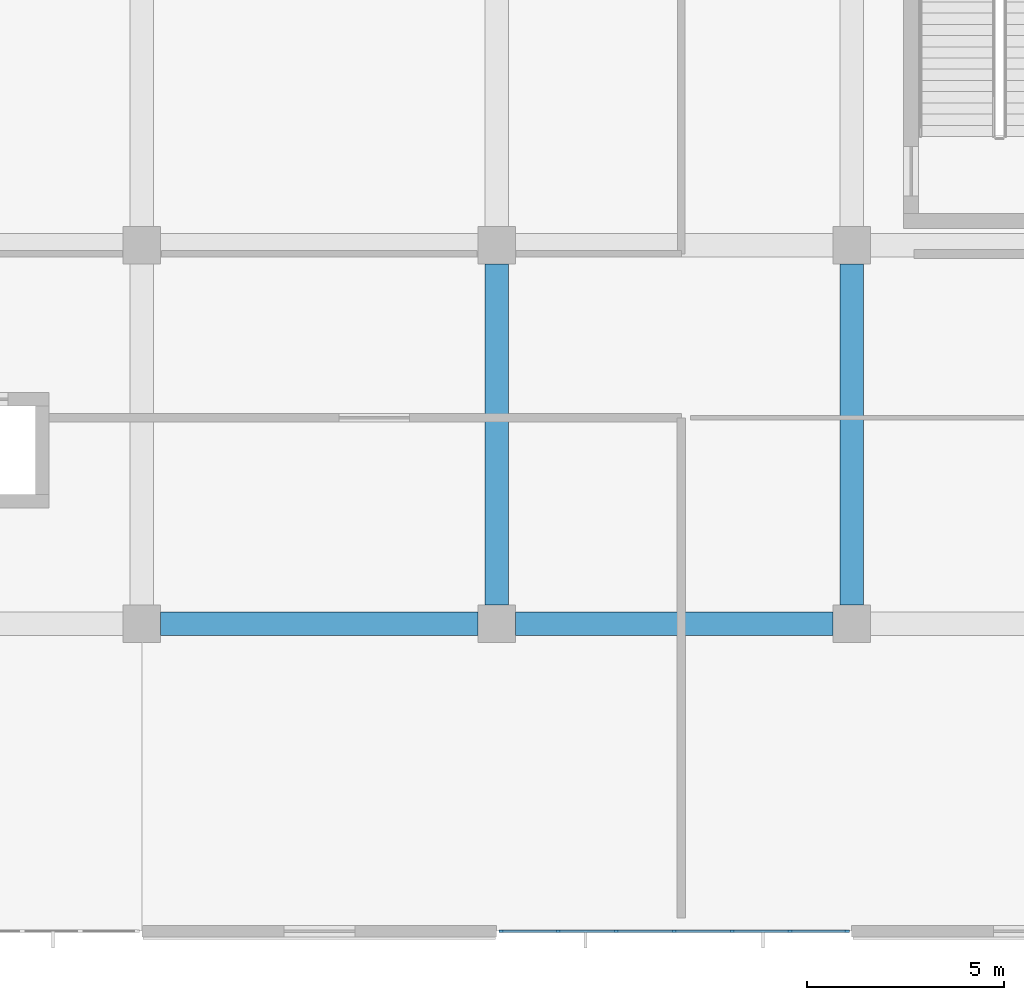
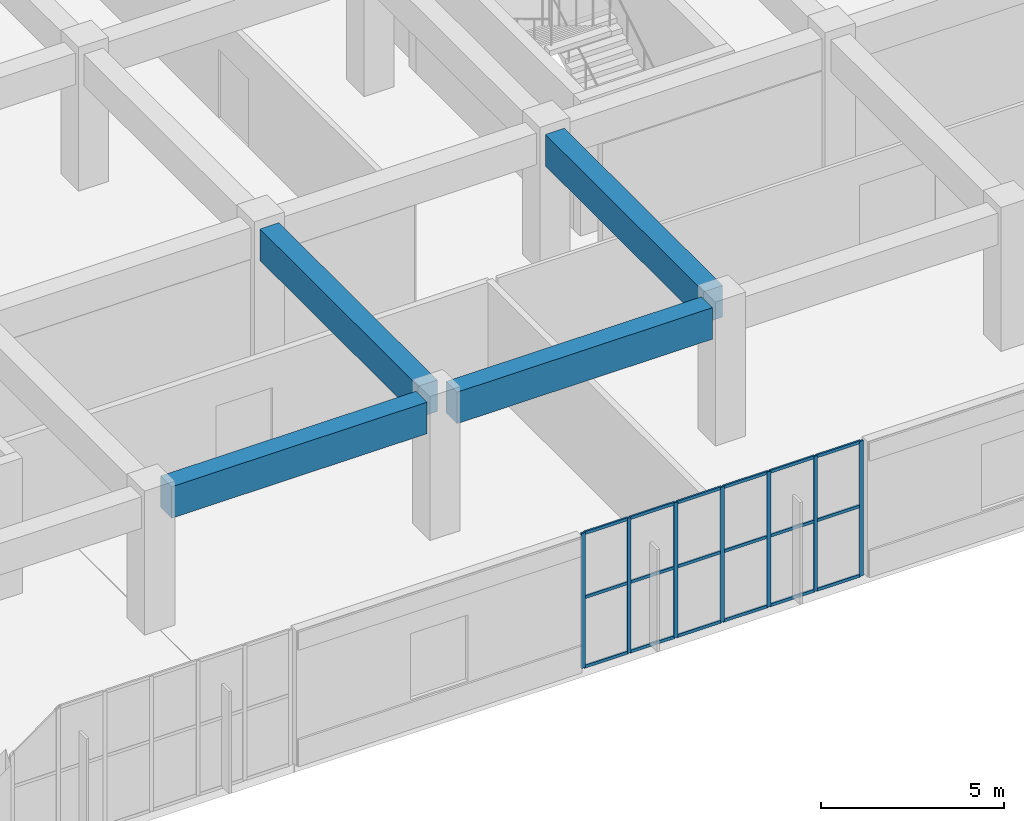
# One storey, part 21 of 86: 25 members, 4 beams, 1 element without a shape of its own.
"""IFC4 building model written with IfcOpenShell, lengths in metres."""

import ifcopenshell
import ifcopenshell.guid

model = None  # the IFC model being written
_history = None  # IfcOwnerHistory: only IFC2X3 demands one
_inside = {}  # id of a spatial element -> (the spatial element, [elements in it])
_under = {}  # id of a project, library or spatial element -> (it, [spatial elements below it])
_declared = {}  # id of a project -> (the project, [libraries it declares])
_typed = {}  # id of a type object -> (the type object, [elements of that type])
_made_of = {}  # id of a material, layer set ... -> (it, [elements and type objects made of it])


def new_model(schema):
    """Start an empty IFC model of exactly this schema.

    Asked for "IFC4X3", IfcOpenShell would pick the latest addendum, in which some entities
    have other attributes; the version numbers below select the first issue.
    IFC2X3 requires an IfcOwnerHistory on every rooted entity: one is made here for all.
    """
    global model, _history
    if schema == "IFC4X3":
        model = ifcopenshell.file(schema_version=(4, 3, 0, 0))
    else:
        model = ifcopenshell.file(schema=schema)
    _inside.clear()
    _under.clear()
    _declared.clear()
    _typed.clear()
    _made_of.clear()
    _history = None
    if model.schema == "IFC2X3":
        org = make("IfcOrganization", Name="unknown")
        user = make(
            "IfcPersonAndOrganization",
            ThePerson=make("IfcPerson", FamilyName="unknown"),
            TheOrganization=org,
        )
        app = make(
            "IfcApplication",
            ApplicationDeveloper=org,
            Version="unknown",
            ApplicationFullName="unknown",
            ApplicationIdentifier="unknown",
        )
        _history = make(
            "IfcOwnerHistory",
            OwningUser=user,
            OwningApplication=app,
            ChangeAction="ADDED",
            CreationDate=0,
        )
    return model


def make(cls, **values):
    """One entity of the class cls with the attributes given. An attribute that is None is left unset."""
    return model.create_entity(
        cls, **{name: value for name, value in values.items() if value is not None}
    )


def rooted(cls, **values):
    """An entity with a GlobalId (a new one), such as an element, a storey or a relation."""
    return make(cls, GlobalId=ifcopenshell.guid.new(), OwnerHistory=_history, **values)


def si_unit(unit_type, name, prefix=None):
    """IfcSIUnit, for example si_unit("LENGTHUNIT", "METRE", prefix="MILLI")."""
    return make("IfcSIUnit", UnitType=unit_type, Prefix=prefix, Name=name)


def assignment(units):
    """IfcUnitAssignment: the units of a project."""
    return None if units is None else make("IfcUnitAssignment", Units=units)


def point(xyz):
    """IfcCartesianPoint."""
    return None if xyz is None else make("IfcCartesianPoint", Coordinates=xyz)


def direction(xyz):
    """IfcDirection."""
    return None if xyz is None else make("IfcDirection", DirectionRatios=xyz)


def frame(location, z_axis=None, x_axis=None):
    """IfcAxis2Placement3D, a coordinate frame: its origin and axes. An axis left out is left unset."""
    return make(
        "IfcAxis2Placement3D",
        Location=point(location),
        Axis=direction(z_axis),
        RefDirection=direction(x_axis),
    )


def frame_2d(location, x_axis=None):
    """IfcAxis2Placement2D, a coordinate frame in the plane: its origin and x axis."""
    return make(
        "IfcAxis2Placement2D", Location=point(location), RefDirection=direction(x_axis)
    )


def origin():
    """The frame at (0, 0, 0) with its axes left unset."""
    return frame((0.0, 0.0, 0.0))


def origin_2d():
    """The frame at (0, 0) in the plane with its x axis left unset."""
    return frame_2d((0.0, 0.0))


def place(relative_to, where):
    """IfcLocalPlacement: puts the frame where relative to a parent placement (None: the world)."""
    return make(
        "IfcLocalPlacement", PlacementRelTo=relative_to, RelativePlacement=where
    )


def context(
    kind, dimensions, precision=None, world=None, true_north=None, identifier=None
):
    """IfcGeometricRepresentationContext, for example the 3D "Model" context."""
    return make(
        "IfcGeometricRepresentationContext",
        ContextIdentifier=identifier,
        ContextType=kind,
        CoordinateSpaceDimension=dimensions,
        Precision=precision,
        WorldCoordinateSystem=world,
        TrueNorth=true_north,
    )


def subcontext(parent, identifier, kind, view, scale=None):
    """IfcGeometricRepresentationSubContext, for example "Body" below "Model"."""
    return make(
        "IfcGeometricRepresentationSubContext",
        ContextIdentifier=identifier,
        ContextType=kind,
        ParentContext=parent,
        TargetScale=scale,
        TargetView=view,
    )


def project(units=None, contexts=None):
    """IfcProject with its units and contexts."""
    return rooted(
        "IfcProject",
        Name="project",
        RepresentationContexts=contexts,
        UnitsInContext=assignment(units),
    )


def spatial(cls, under=None, at=None, **own):
    """A site, building, storey or space (cls), placed at a placement, below another one or the project."""
    s = rooted(cls, ObjectPlacement=at, **own)
    if under is not None:
        _under.setdefault(under.id(), (under, []))[1].append(s)
    return s


def profile(cls, at=None, kind="AREA", **sizes):
    """A parametric profile (cls). Its sizes go by their IFC names, for example OverallWidth=200.0."""
    return make(cls, ProfileType=kind, Position=at, **sizes)


def rectangle(**sizes):
    """IfcRectangleProfileDef."""
    return profile("IfcRectangleProfileDef", **sizes)


def extrude(swept, where, along, depth):
    """IfcExtrudedAreaSolid: the profile swept, set in the frame where, extruded along a direction by depth."""
    return make(
        "IfcExtrudedAreaSolid",
        SweptArea=swept,
        Position=where,
        ExtrudedDirection=direction(along),
        Depth=depth,
    )


def shape(context_of_items, identifier, shape_type, items):
    """IfcShapeRepresentation: the items that make up one representation, for example the "Body"."""
    return make(
        "IfcShapeRepresentation",
        ContextOfItems=context_of_items,
        RepresentationIdentifier=identifier,
        RepresentationType=shape_type,
        Items=items,
    )


def material(Name=None, Category=None):
    """IfcMaterial."""
    return make("IfcMaterial", Name=Name, Category=Category)


def layer(
    of_material, thickness, ventilated=None, Name=None, Category=None, Priority=None
):
    """IfcMaterialLayer: one layer of a wall or slab, of a material (None: an air gap)."""
    return make(
        "IfcMaterialLayer",
        Material=of_material,
        LayerThickness=thickness,
        IsVentilated=ventilated,
        Name=Name,
        Category=Category,
        Priority=Priority,
    )


def layer_set(layers, Name=None):
    """IfcMaterialLayerSet."""
    return make("IfcMaterialLayerSet", MaterialLayers=layers, LayerSetName=Name)


def material_profile(
    of_material, cross_section, Name=None, Category=None, Priority=None
):
    """IfcMaterialProfile: a cross section and its material."""
    return make(
        "IfcMaterialProfile",
        Name=Name,
        Material=of_material,
        Profile=cross_section,
        Priority=Priority,
        Category=Category,
    )


def profile_set(profiles, Name=None, composite=None):
    """IfcMaterialProfileSet."""
    return make(
        "IfcMaterialProfileSet",
        Name=Name,
        MaterialProfiles=profiles,
        CompositeProfile=composite,
    )


def made_of(thing, what):
    """Note that an element or type object is made of a material, layer set ...; save() writes the relation."""
    if what is not None:
        _made_of.setdefault(what.id(), (what, []))[1].append(thing)
    return thing


def type_object(cls, material=None, **own):
    """A type object (cls), such as IfcWallType, which elements share."""
    return made_of(rooted(cls, **own), material)


def element(
    cls,
    number,
    at=None,
    inside=None,
    cuts=None,
    type_object=None,
    material=None,
    context=None,
    identifier="Body",
    shape_type=None,
    held_by="IfcProductDefinitionShape",
    body=None,
    shapes=None,
    **own,
):
    """One element of the class cls, such as IfcWall. Its Tag is "e" and its number.

    at: its placement. inside: the storey or other place that contains it. cuts: it is an
    opening in that element (IfcRelVoidsElement). A single representation is given by context,
    identifier, shape_type and body (its items); several are given by shapes. held_by: the class
    of the entity that holds the representations. save() writes the other relations.
    """
    e = rooted(cls, Tag="e%d" % number, ObjectPlacement=at, **own)
    if body is not None:
        shapes = [shape(context, identifier, shape_type, body)]
    if shapes is not None:
        e.Representation = make(held_by, Representations=shapes)
    if inside is not None:
        _inside.setdefault(inside.id(), (inside, []))[1].append(e)
    if cuts is not None:
        rooted(
            "IfcRelVoidsElement", RelatingBuildingElement=cuts, RelatedOpeningElement=e
        )
    if type_object is not None:
        _typed.setdefault(type_object.id(), (type_object, []))[1].append(e)
    return made_of(e, material)


def aggregate(whole, parts):
    """IfcRelAggregates: a whole, such as a stair, and the parts it consists of."""
    return rooted("IfcRelAggregates", RelatingObject=whole, RelatedObjects=parts)


def save(model, path):
    """Write the relations noted so far, then the file.

    IfcRelAggregates (storeys below a building ...), IfcRelContainedInSpatialStructure (elements
    in a storey), IfcRelDefinesByType, IfcRelAssociatesMaterial and IfcRelDeclares: one each for
    every whole, place, type object, material and project.
    """
    for whole, parts in _under.values():
        aggregate(whole, parts)
    for where, things in _inside.values():
        rooted(
            "IfcRelContainedInSpatialStructure",
            RelatedElements=things,
            RelatingStructure=where,
        )
    for kind, things in _typed.values():
        rooted("IfcRelDefinesByType", RelatedObjects=things, RelatingType=kind)
    for what, things in _made_of.values():
        rooted("IfcRelAssociatesMaterial", RelatedObjects=things, RelatingMaterial=what)
    for by, libraries in _declared.values():
        rooted("IfcRelDeclares", RelatingContext=by, RelatedDefinitions=libraries)
    model.write(path)


model = new_model("IFC4")

# Units and contexts
model_context = context("Model", 3, precision=1e-05, world=origin(), true_north=direction((0.0, 1.0)))
body_context = subcontext(model_context, "Body", "Model", "MODEL_VIEW")
ifc_project = project(units=[si_unit("LENGTHUNIT", "METRE"), si_unit("AREAUNIT", "SQUARE_METRE"), si_unit("VOLUMEUNIT", "CUBIC_METRE"), si_unit("PLANEANGLEUNIT", "RADIAN"), si_unit("MASSUNIT", "GRAM", prefix="KILO")], contexts=[model_context])

# Site, building, storey
site_placement = place(None, origin())
site = spatial("IfcSite", under=ifc_project, at=site_placement, CompositionType="ELEMENT")
building_placement = place(site_placement, origin())
building = spatial("IfcBuilding", under=site, at=building_placement, Name="Cendralis Terraced Arcade", CompositionType="ELEMENT")
storey_placement = place(building_placement, frame((0.0, 0.0, 5.39990234375)))
storey = spatial("IfcBuildingStorey", under=building, at=storey_placement, Name="L01", CompositionType="ELEMENT", Elevation=5.39990234375)

# Beams
ifc_material_1 = material(Name="Concrete f'c 35 MPa", Category="concrete")
ifc_material_profile_1 = material_profile(ifc_material_1, rectangle(XDim=0.60009765625, YDim=1.050048828125, at=origin_2d()), Name="RC-BM-600x1050", Category="LoadBearing")
ifc_profile_set_1 = profile_set([ifc_material_profile_1], Name="Concrete f'c 35 MPa")
beam_type = type_object("IfcBeamType", Name="BM-600x1050", PredefinedType="JOIST", material=ifc_profile_set_1)
for number, where, z_axis, x_axis, name in (
    (1, (94.675048828125, 9.60009765625, 3.97998046875), (1.0, 0.0, 0.0), (0.0, 1.0, 0.0), "Reinforced Concrete Frame Beam BM-X-L02-B-11_12"),
    (2, (103.675048828125, 9.60009765625, 3.97998046875), (1.0, 0.0, 0.0), (0.0, 1.0, 0.0), "Reinforced Concrete Frame Beam BM-X-L02-B-12_13"),
):
    element("IfcBeam", number, at=place(storey_placement, frame(where, z_axis=z_axis, x_axis=x_axis)), inside=storey, type_object=beam_type, Name=name, PredefinedType="JOIST", context=body_context, shape_type="SweptSolid", body=[
        extrude(rectangle(XDim=0.60009765625, YDim=1.050048828125, at=origin_2d()), origin(), (0.0, 0.0, 1.0), 8.050048828125),
    ])
for number, where, z_axis, x_axis, name in (
    (3, (103.199951171875, 10.074951171875, 3.97998046875), (0.0, 1.0, 0.0), (-1.0, 0.0, 0.0), "Reinforced Concrete Frame Beam BM-Y-L02-12-B_C"),
    (4, (112.199951171875, 10.074951171875, 3.97998046875), (0.0, 1.0, 0.0), (-1.0, 0.0, 0.0), "Reinforced Concrete Frame Beam BM-Y-L02-13-B_C"),
):
    element("IfcBeam", number, at=place(storey_placement, frame(where, z_axis=z_axis, x_axis=x_axis)), inside=storey, type_object=beam_type, Name=name, PredefinedType="JOIST", context=body_context, shape_type="SweptSolid", body=[
        extrude(rectangle(XDim=0.60009765625, YDim=1.050048828125, at=origin_2d()), origin(), (0.0, 0.0, 1.0), 8.650146484375),
    ])

# Curtain wall, members
ifc_material_2 = material(Name="Anodised aluminium EN AW-6063 T6", Category="aluminium")
ifc_layer = layer(ifc_material_2, 0.1201171875, Name="CW-STORE-B")
ifc_layer_set = layer_set([ifc_layer], Name="Anodised aluminium EN AW-6063 T6")
curtain_wall_type = type_object("IfcCurtainWallType", Name="CW-STORE-B", PredefinedType="USERDEFINED", material=ifc_layer_set)
curtain_wall_placement = place(storey_placement, origin())
curtain_wall = element("IfcCurtainWall", 5, at=curtain_wall_placement, inside=storey, type_object=curtain_wall_type, Name="Exterior Storefront Glazing CW-L01-0090", ObjectType="STOREFRONT GLAZING", PredefinedType="USERDEFINED")
ifc_material_profile_2 = material_profile(ifc_material_2, rectangle(XDim=0.054931640625, YDim=0.1201171875, at=origin_2d()), Name="ALU-MUL-55x120")
ifc_profile_set_2 = profile_set([ifc_material_profile_2], Name="Anodised aluminium EN AW-6063 T6")
member_type_1 = type_object("IfcMemberType", Name="CW-STORE-B-MUL", PredefinedType="MULLION", material=ifc_profile_set_2)
member_1_placement = place(storey_placement, frame((112.08251953125, 1.800048828125, 0.0), z_axis=(0.0, 0.0, 1.0), x_axis=(0.0, -1.0, 0.0)))
member_1 = element("IfcMember", 6, at=member_1_placement, type_object=member_type_1, Name="CW-S2 mullion 1", PredefinedType="MULLION", context=body_context, shape_type="SweptSolid", body=[
    extrude(rectangle(XDim=0.054931640625, YDim=0.1201171875, at=origin_2d()), origin(), (0.0, 0.0, 1.0), 4.505126953125),
])
member_2_placement = place(storey_placement, frame((110.639892578125, 1.800048828125, 0.0), z_axis=(0.0, 0.0, 1.0), x_axis=(0.0, -1.0, 0.0)))
member_2 = element("IfcMember", 7, at=member_2_placement, type_object=member_type_1, Name="CW-S2 mullion 2", PredefinedType="MULLION", context=body_context, shape_type="SweptSolid", body=[
    extrude(rectangle(XDim=0.054931640625, YDim=0.1201171875, at=origin_2d()), origin(), (0.0, 0.0, 1.0), 4.505126953125),
])
member_3_placement = place(storey_placement, frame((109.169921875, 1.800048828125, 0.0), z_axis=(0.0, 0.0, 1.0), x_axis=(0.0, -1.0, 0.0)))
member_3 = element("IfcMember", 8, at=member_3_placement, type_object=member_type_1, Name="CW-S2 mullion 3", PredefinedType="MULLION", context=body_context, shape_type="SweptSolid", body=[
    extrude(rectangle(XDim=0.054931640625, YDim=0.1201171875, at=origin_2d()), origin(), (0.0, 0.0, 1.0), 4.505126953125),
])
member_4_placement = place(storey_placement, frame((107.699951171875, 1.800048828125, 0.0), z_axis=(0.0, 0.0, 1.0), x_axis=(0.0, -1.0, 0.0)))
member_4 = element("IfcMember", 9, at=member_4_placement, type_object=member_type_1, Name="CW-S2 mullion 4", PredefinedType="MULLION", context=body_context, shape_type="SweptSolid", body=[
    extrude(rectangle(XDim=0.054931640625, YDim=0.1201171875, at=origin_2d()), origin(), (0.0, 0.0, 1.0), 4.505126953125),
])
member_5_placement = place(storey_placement, frame((106.22998046875, 1.800048828125, 0.0), z_axis=(0.0, 0.0, 1.0), x_axis=(0.0, -1.0, 0.0)))
member_5 = element("IfcMember", 10, at=member_5_placement, type_object=member_type_1, Name="CW-S2 mullion 5", PredefinedType="MULLION", context=body_context, shape_type="SweptSolid", body=[
    extrude(rectangle(XDim=0.054931640625, YDim=0.1201171875, at=origin_2d()), origin(), (0.0, 0.0, 1.0), 4.505126953125),
])
member_6_placement = place(storey_placement, frame((104.760009765625, 1.800048828125, 0.0), z_axis=(0.0, 0.0, 1.0), x_axis=(0.0, -1.0, 0.0)))
member_6 = element("IfcMember", 11, at=member_6_placement, type_object=member_type_1, Name="CW-S2 mullion 6", PredefinedType="MULLION", context=body_context, shape_type="SweptSolid", body=[
    extrude(rectangle(XDim=0.054931640625, YDim=0.1201171875, at=origin_2d()), origin(), (0.0, 0.0, 1.0), 4.505126953125),
])
member_7_placement = place(storey_placement, frame((103.3173828125, 1.800048828125, 0.0), z_axis=(0.0, 0.0, 1.0), x_axis=(0.0, -1.0, 0.0)))
member_7 = element("IfcMember", 12, at=member_7_placement, type_object=member_type_1, Name="CW-S2 mullion 7", PredefinedType="MULLION", context=body_context, shape_type="SweptSolid", body=[
    extrude(rectangle(XDim=0.054931640625, YDim=0.1201171875, at=origin_2d()), origin(), (0.0, 0.0, 1.0), 4.505126953125),
])
ifc_material_profile_3 = material_profile(ifc_material_2, rectangle(XDim=0.054931640625, YDim=0.10009765625, at=origin_2d()), Name="ALU-TRN-55x100")
ifc_profile_set_3 = profile_set([ifc_material_profile_3], Name="Anodised aluminium EN AW-6063 T6")
member_type_2 = type_object("IfcMemberType", Name="CW-STORE-B-TRN", PredefinedType="USERDEFINED", material=ifc_profile_set_3)
member_8_placement = place(storey_placement, frame((112.054931640625, 1.800048828125, 0.027587890625), z_axis=(-1.0, 0.0, 0.0), x_axis=(0.0, -1.0, 0.0)))
member_8 = element("IfcMember", 13, at=member_8_placement, type_object=member_type_2, Name="CW-S2 transom 1.1", ObjectType="TRANSOM", PredefinedType="USERDEFINED", context=body_context, shape_type="SweptSolid", body=[
    extrude(rectangle(XDim=0.054931640625, YDim=0.10009765625, at=origin_2d()), origin(), (0.0, 0.0, 1.0), 1.387451171875),
])
member_9_placement = place(storey_placement, frame((112.054931640625, 1.800048828125, 2.3427734375), z_axis=(-1.0, 0.0, 0.0), x_axis=(0.0, -1.0, 0.0)))
member_9 = element("IfcMember", 14, at=member_9_placement, type_object=member_type_2, Name="CW-S2 transom 1.2", ObjectType="TRANSOM", PredefinedType="USERDEFINED", context=body_context, shape_type="SweptSolid", body=[
    extrude(rectangle(XDim=0.054931640625, YDim=0.10009765625, at=origin_2d()), origin(), (0.0, 0.0, 1.0), 1.387451171875),
])
member_10_placement = place(storey_placement, frame((112.054931640625, 1.800048828125, 4.4775390625), z_axis=(-1.0, 0.0, 0.0), x_axis=(0.0, -1.0, 0.0)))
member_10 = element("IfcMember", 15, at=member_10_placement, type_object=member_type_2, Name="CW-S2 transom 1.3", ObjectType="TRANSOM", PredefinedType="USERDEFINED", context=body_context, shape_type="SweptSolid", body=[
    extrude(rectangle(XDim=0.054931640625, YDim=0.10009765625, at=origin_2d()), origin(), (0.0, 0.0, 1.0), 1.387451171875),
])
member_11_placement = place(storey_placement, frame((110.612548828125, 1.800048828125, 0.027587890625), z_axis=(-1.0, 0.0, 0.0), x_axis=(0.0, -1.0, 0.0)))
member_11 = element("IfcMember", 16, at=member_11_placement, type_object=member_type_2, Name="CW-S2 transom 2.1", ObjectType="TRANSOM", PredefinedType="USERDEFINED", context=body_context, shape_type="SweptSolid", body=[
    extrude(rectangle(XDim=0.054931640625, YDim=0.10009765625, at=origin_2d()), origin(), (0.0, 0.0, 1.0), 1.4150390625),
])
member_12_placement = place(storey_placement, frame((110.612548828125, 1.800048828125, 2.3427734375), z_axis=(-1.0, 0.0, 0.0), x_axis=(0.0, -1.0, 0.0)))
member_12 = element("IfcMember", 17, at=member_12_placement, type_object=member_type_2, Name="CW-S2 transom 2.2", ObjectType="TRANSOM", PredefinedType="USERDEFINED", context=body_context, shape_type="SweptSolid", body=[
    extrude(rectangle(XDim=0.054931640625, YDim=0.10009765625, at=origin_2d()), origin(), (0.0, 0.0, 1.0), 1.4150390625),
])
member_13_placement = place(storey_placement, frame((110.612548828125, 1.800048828125, 4.4775390625), z_axis=(-1.0, 0.0, 0.0), x_axis=(0.0, -1.0, 0.0)))
member_13 = element("IfcMember", 18, at=member_13_placement, type_object=member_type_2, Name="CW-S2 transom 2.3", ObjectType="TRANSOM", PredefinedType="USERDEFINED", context=body_context, shape_type="SweptSolid", body=[
    extrude(rectangle(XDim=0.054931640625, YDim=0.10009765625, at=origin_2d()), origin(), (0.0, 0.0, 1.0), 1.4150390625),
])
member_14_placement = place(storey_placement, frame((109.142578125, 1.800048828125, 0.027587890625), z_axis=(-1.0, 0.0, 0.0), x_axis=(0.0, -1.0, 0.0)))
member_14 = element("IfcMember", 19, at=member_14_placement, type_object=member_type_2, Name="CW-S2 transom 3.1", ObjectType="TRANSOM", PredefinedType="USERDEFINED", context=body_context, shape_type="SweptSolid", body=[
    extrude(rectangle(XDim=0.054931640625, YDim=0.10009765625, at=origin_2d()), origin(), (0.0, 0.0, 1.0), 1.4150390625),
])
member_15_placement = place(storey_placement, frame((109.142578125, 1.800048828125, 2.3427734375), z_axis=(-1.0, 0.0, 0.0), x_axis=(0.0, -1.0, 0.0)))
member_15 = element("IfcMember", 20, at=member_15_placement, type_object=member_type_2, Name="CW-S2 transom 3.2", ObjectType="TRANSOM", PredefinedType="USERDEFINED", context=body_context, shape_type="SweptSolid", body=[
    extrude(rectangle(XDim=0.054931640625, YDim=0.10009765625, at=origin_2d()), origin(), (0.0, 0.0, 1.0), 1.4150390625),
])
member_16_placement = place(storey_placement, frame((109.142578125, 1.800048828125, 4.4775390625), z_axis=(-1.0, 0.0, 0.0), x_axis=(0.0, -1.0, 0.0)))
member_16 = element("IfcMember", 21, at=member_16_placement, type_object=member_type_2, Name="CW-S2 transom 3.3", ObjectType="TRANSOM", PredefinedType="USERDEFINED", context=body_context, shape_type="SweptSolid", body=[
    extrude(rectangle(XDim=0.054931640625, YDim=0.10009765625, at=origin_2d()), origin(), (0.0, 0.0, 1.0), 1.4150390625),
])
member_17_placement = place(storey_placement, frame((107.672607421875, 1.800048828125, 0.027587890625), z_axis=(-1.0, 0.0, 0.0), x_axis=(0.0, -1.0, 0.0)))
member_17 = element("IfcMember", 22, at=member_17_placement, type_object=member_type_2, Name="CW-S2 transom 4.1", ObjectType="TRANSOM", PredefinedType="USERDEFINED", context=body_context, shape_type="SweptSolid", body=[
    extrude(rectangle(XDim=0.054931640625, YDim=0.10009765625, at=origin_2d()), origin(), (0.0, 0.0, 1.0), 1.4150390625),
])
member_18_placement = place(storey_placement, frame((107.672607421875, 1.800048828125, 2.3427734375), z_axis=(-1.0, 0.0, 0.0), x_axis=(0.0, -1.0, 0.0)))
member_18 = element("IfcMember", 23, at=member_18_placement, type_object=member_type_2, Name="CW-S2 transom 4.2", ObjectType="TRANSOM", PredefinedType="USERDEFINED", context=body_context, shape_type="SweptSolid", body=[
    extrude(rectangle(XDim=0.054931640625, YDim=0.10009765625, at=origin_2d()), origin(), (0.0, 0.0, 1.0), 1.4150390625),
])
member_19_placement = place(storey_placement, frame((107.672607421875, 1.800048828125, 4.4775390625), z_axis=(-1.0, 0.0, 0.0), x_axis=(0.0, -1.0, 0.0)))
member_19 = element("IfcMember", 24, at=member_19_placement, type_object=member_type_2, Name="CW-S2 transom 4.3", ObjectType="TRANSOM", PredefinedType="USERDEFINED", context=body_context, shape_type="SweptSolid", body=[
    extrude(rectangle(XDim=0.054931640625, YDim=0.10009765625, at=origin_2d()), origin(), (0.0, 0.0, 1.0), 1.4150390625),
])
member_20_placement = place(storey_placement, frame((106.202392578125, 1.800048828125, 0.027587890625), z_axis=(-1.0, 0.0, 0.0), x_axis=(0.0, -1.0, 0.0)))
member_20 = element("IfcMember", 25, at=member_20_placement, type_object=member_type_2, Name="CW-S2 transom 5.1", ObjectType="TRANSOM", PredefinedType="USERDEFINED", context=body_context, shape_type="SweptSolid", body=[
    extrude(rectangle(XDim=0.054931640625, YDim=0.10009765625, at=origin_2d()), origin(), (0.0, 0.0, 1.0), 1.414794921875),
])
member_21_placement = place(storey_placement, frame((106.202392578125, 1.800048828125, 2.3427734375), z_axis=(-1.0, 0.0, 0.0), x_axis=(0.0, -1.0, 0.0)))
member_21 = element("IfcMember", 26, at=member_21_placement, type_object=member_type_2, Name="CW-S2 transom 5.2", ObjectType="TRANSOM", PredefinedType="USERDEFINED", context=body_context, shape_type="SweptSolid", body=[
    extrude(rectangle(XDim=0.054931640625, YDim=0.10009765625, at=origin_2d()), origin(), (0.0, 0.0, 1.0), 1.414794921875),
])
member_22_placement = place(storey_placement, frame((106.202392578125, 1.800048828125, 4.4775390625), z_axis=(-1.0, 0.0, 0.0), x_axis=(0.0, -1.0, 0.0)))
member_22 = element("IfcMember", 27, at=member_22_placement, type_object=member_type_2, Name="CW-S2 transom 5.3", ObjectType="TRANSOM", PredefinedType="USERDEFINED", context=body_context, shape_type="SweptSolid", body=[
    extrude(rectangle(XDim=0.054931640625, YDim=0.10009765625, at=origin_2d()), origin(), (0.0, 0.0, 1.0), 1.414794921875),
])
member_23_placement = place(storey_placement, frame((104.732421875, 1.800048828125, 0.027587890625), z_axis=(-1.0, 0.0, 0.0), x_axis=(0.0, -1.0, 0.0)))
member_23 = element("IfcMember", 28, at=member_23_placement, type_object=member_type_2, Name="CW-S2 transom 6.1", ObjectType="TRANSOM", PredefinedType="USERDEFINED", context=body_context, shape_type="SweptSolid", body=[
    extrude(rectangle(XDim=0.054931640625, YDim=0.10009765625, at=origin_2d()), origin(), (0.0, 0.0, 1.0), 1.387451171875),
])
member_24_placement = place(storey_placement, frame((104.732421875, 1.800048828125, 2.3427734375), z_axis=(-1.0, 0.0, 0.0), x_axis=(0.0, -1.0, 0.0)))
member_24 = element("IfcMember", 29, at=member_24_placement, type_object=member_type_2, Name="CW-S2 transom 6.2", ObjectType="TRANSOM", PredefinedType="USERDEFINED", context=body_context, shape_type="SweptSolid", body=[
    extrude(rectangle(XDim=0.054931640625, YDim=0.10009765625, at=origin_2d()), origin(), (0.0, 0.0, 1.0), 1.387451171875),
])
member_25_placement = place(storey_placement, frame((104.732421875, 1.800048828125, 4.4775390625), z_axis=(-1.0, 0.0, 0.0), x_axis=(0.0, -1.0, 0.0)))
member_25 = element("IfcMember", 30, at=member_25_placement, type_object=member_type_2, Name="CW-S2 transom 6.3", ObjectType="TRANSOM", PredefinedType="USERDEFINED", context=body_context, shape_type="SweptSolid", body=[
    extrude(rectangle(XDim=0.054931640625, YDim=0.10009765625, at=origin_2d()), origin(), (0.0, 0.0, 1.0), 1.387451171875),
])
aggregate(curtain_wall, [member_1, member_2, member_3, member_4, member_5, member_6, member_7, member_8, member_9, member_10, member_11, member_12, member_13, member_14, member_15, member_16, member_17, member_18, member_19, member_20, member_21, member_22, member_23, member_24, member_25])

save(model, "model.ifc")
